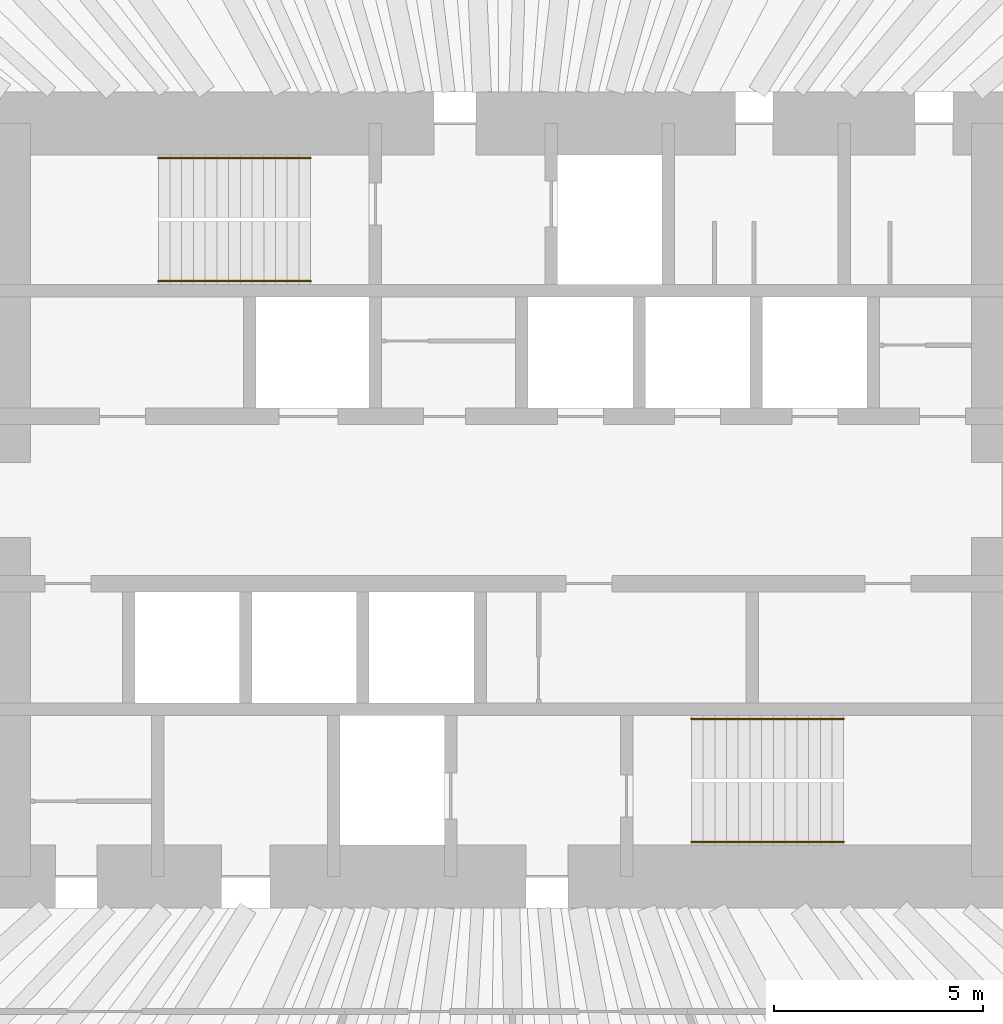
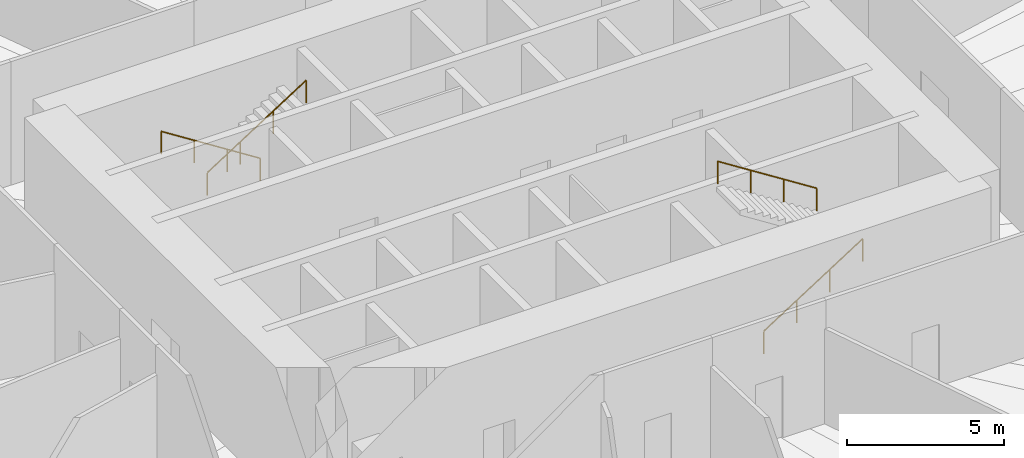
# One storey, part 13 of 13: 4 railings.
"""IFC4 building model written with IfcOpenShell, lengths in metres."""

from ifc_helpers import new_model, si_unit, direction, frame, origin, origin_2d, place, context, subcontext, project, spatial, circle, extrude, material, type_object, element, save


model = new_model("IFC4")

# Units and contexts
model_context = context("Model", 3, precision=1e-05, world=origin(), true_north=direction((0.0, 1.0)))
body_context = subcontext(model_context, "Body", "Model", "MODEL_VIEW")
ifc_project = project(units=[si_unit("LENGTHUNIT", "METRE"), si_unit("AREAUNIT", "SQUARE_METRE"), si_unit("VOLUMEUNIT", "CUBIC_METRE"), si_unit("PLANEANGLEUNIT", "RADIAN"), si_unit("MASSUNIT", "GRAM", prefix="KILO")], contexts=[model_context])

# Site, building, storey
site_placement = place(None, origin())
site = spatial("IfcSite", under=ifc_project, at=site_placement, CompositionType="ELEMENT")
building_placement = place(site_placement, origin())
building = spatial("IfcBuilding", under=site, at=building_placement, Name="Qingtian Harvest Tower", CompositionType="ELEMENT")
storey_placement = place(building_placement, frame((0.0, 0.0, 27.0)))
storey = spatial("IfcBuildingStorey", under=building, at=storey_placement, Name="L05", CompositionType="ELEMENT", Elevation=27.0)

# Railings
ifc_material = material(Name="Stainless steel handrail", Category="steel")
railing_type = type_object("IfcRailingType", Name="Handrail HR1", PredefinedType="HANDRAIL", material=ifc_material)
railing_1_placement = place(storey_placement, frame((-4.550048828125, 8.169921875, 0.178466796875)))
element("IfcRailing", 1, at=railing_1_placement, inside=storey, type_object=railing_type, Name="Handrail HR1 S1 flight 1", PredefinedType="HANDRAIL", context=body_context, shape_type="SweptSolid", body=[
    extrude(circle(Radius=0.02392578125, at=origin_2d()), frame((0.0, 0.0, 0.8759765625), z_axis=(-0.843111507901, 0.0, 0.53773877045), x_axis=(0.0, -1.0, 0.0)), (0.0, 0.0, 1.0), 4.317138671875),
    extrude(circle(Radius=0.02099609375, at=origin_2d()), origin(), (0.0, 0.0, 1.0), 0.851806640625),
    extrude(circle(Radius=0.02099609375, at=origin_2d()), frame((-1.21337890625, 0.0, 0.77392578125)), (0.0, 0.0, 1.0), 0.851806640625),
    extrude(circle(Radius=0.02099609375, at=origin_2d()), frame((-2.426513671875, 0.0, 1.547607421875)), (0.0, 0.0, 1.0), 0.851806640625),
    extrude(circle(Radius=0.02099609375, at=origin_2d()), frame((-3.639892578125, 0.0, 2.321533203125)), (0.0, 0.0, 1.0), 0.851806640625),
])
for number, where, name in (
    (2, (-8.18994140625, 5.22998046875, 2.678466796875), "Handrail HR1 S1 flight 2"),
    (3, (4.550048828125, -8.169921875, 0.178466796875), "Handrail HR1 S2 flight 1"),
):
    element("IfcRailing", number, at=place(storey_placement, frame(where)), inside=storey, type_object=railing_type, Name=name, PredefinedType="HANDRAIL", context=body_context, shape_type="SweptSolid", body=[
        extrude(circle(Radius=0.02392578125, at=origin_2d()), frame((0.0, 0.0, 0.8759765625), z_axis=(0.843111507901, 0.0, 0.53773877045), x_axis=(0.0, 1.0, 0.0)), (0.0, 0.0, 1.0), 4.317138671875),
        extrude(circle(Radius=0.02099609375, at=origin_2d()), origin(), (0.0, 0.0, 1.0), 0.851806640625),
        extrude(circle(Radius=0.02099609375, at=origin_2d()), frame((1.21337890625, 0.0, 0.77392578125)), (0.0, 0.0, 1.0), 0.851806640625),
        extrude(circle(Radius=0.02099609375, at=origin_2d()), frame((2.426513671875, 0.0, 1.547607421875)), (0.0, 0.0, 1.0), 0.851806640625),
        extrude(circle(Radius=0.02099609375, at=origin_2d()), frame((3.639892578125, 0.0, 2.321533203125)), (0.0, 0.0, 1.0), 0.851806640625),
    ])
railing_2_placement = place(storey_placement, frame((8.18994140625, -5.22998046875, 2.678466796875)))
element("IfcRailing", 4, at=railing_2_placement, inside=storey, type_object=railing_type, Name="Handrail HR1 S2 flight 2", PredefinedType="HANDRAIL", context=body_context, shape_type="SweptSolid", body=[
    extrude(circle(Radius=0.02392578125, at=origin_2d()), frame((0.0, 0.0, 0.8759765625), z_axis=(-0.843111507901, 0.0, 0.53773877045), x_axis=(0.0, -1.0, 0.0)), (0.0, 0.0, 1.0), 4.317138671875),
    extrude(circle(Radius=0.02099609375, at=origin_2d()), origin(), (0.0, 0.0, 1.0), 0.851806640625),
    extrude(circle(Radius=0.02099609375, at=origin_2d()), frame((-1.21337890625, 0.0, 0.77392578125)), (0.0, 0.0, 1.0), 0.851806640625),
    extrude(circle(Radius=0.02099609375, at=origin_2d()), frame((-2.426513671875, 0.0, 1.547607421875)), (0.0, 0.0, 1.0), 0.851806640625),
    extrude(circle(Radius=0.02099609375, at=origin_2d()), frame((-3.639892578125, 0.0, 2.321533203125)), (0.0, 0.0, 1.0), 0.851806640625),
])

save(model, "model.ifc")
